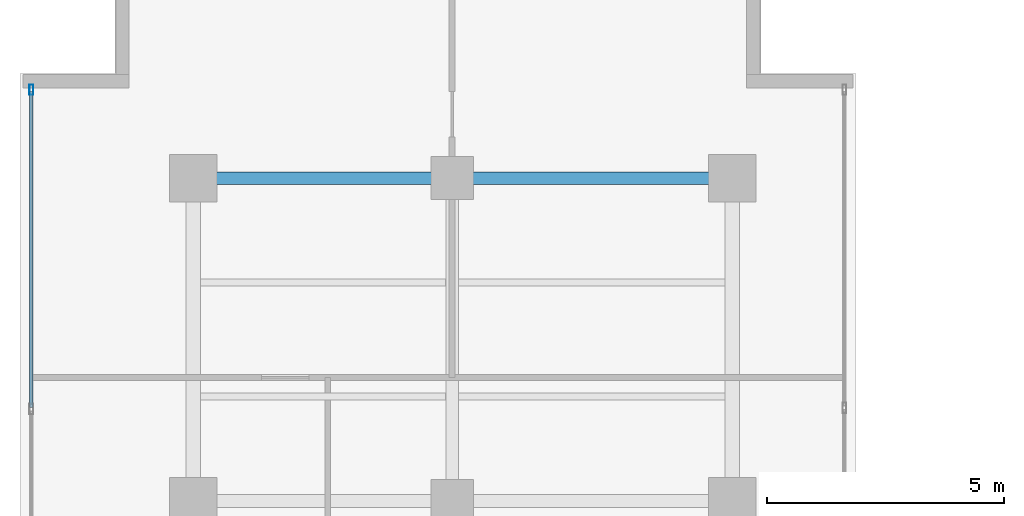
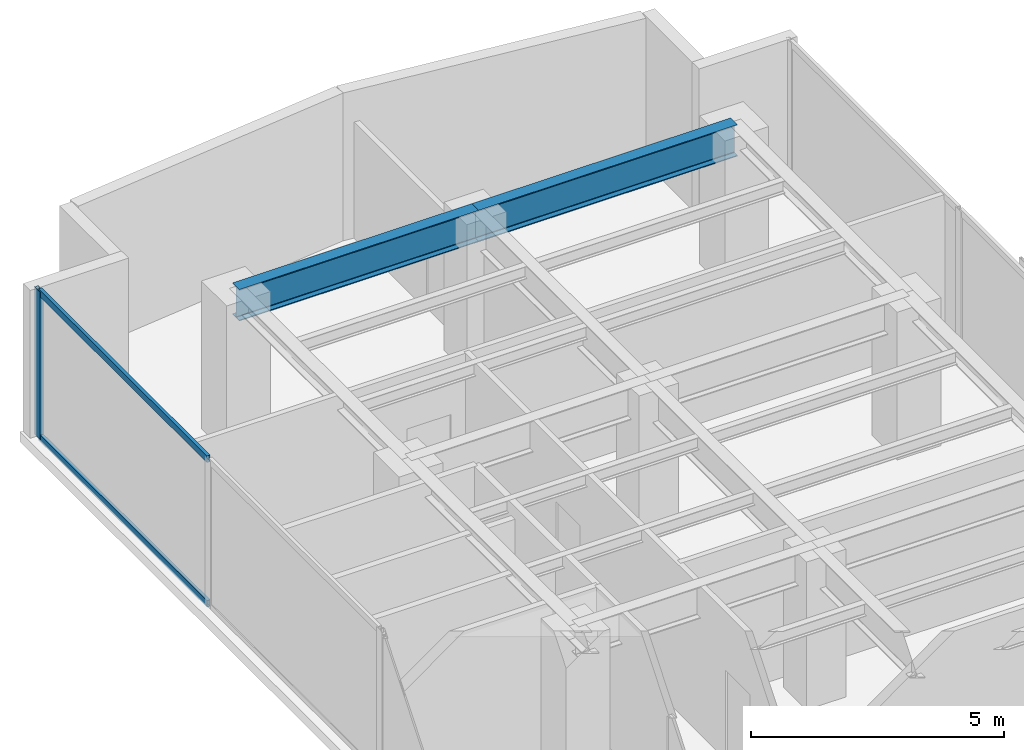
# One storey, part 14 of 23: 3 members, 2 beams, 1 element without a shape of its own.
"""IFC4 building model written with IfcOpenShell, lengths in metres."""

from ifc_helpers import new_model, si_unit, direction, frame, origin, origin_with_axes, origin_2d, place, context, subcontext, project, spatial, hollow_rectangle, i_section, extrude, source, transform, mapped, material, layer, layer_set, material_profile, profile_set, type_object, element, aggregate, save


model = new_model("IFC4")

# Units and contexts
model_context = context("Model", 3, precision=1e-05, world=origin(), true_north=direction((0.0, 1.0)))
body_context = subcontext(model_context, "Body", "Model", "MODEL_VIEW")
ifc_project = project(units=[si_unit("LENGTHUNIT", "METRE"), si_unit("AREAUNIT", "SQUARE_METRE"), si_unit("VOLUMEUNIT", "CUBIC_METRE"), si_unit("PLANEANGLEUNIT", "RADIAN"), si_unit("MASSUNIT", "GRAM", prefix="KILO")], contexts=[model_context])

# Site, building, storey
site_placement = place(None, origin())
site = spatial("IfcSite", under=ifc_project, at=site_placement, CompositionType="ELEMENT")
building_placement = place(site_placement, origin())
building = spatial("IfcBuilding", under=site, at=building_placement, Name="Kolvaren Waterfront Exchange", CompositionType="ELEMENT")
storey_placement = place(building_placement, frame((0.0, 0.0, 250.10009765625)))
storey = spatial("IfcBuildingStorey", under=building, at=storey_placement, Name="L64", CompositionType="ELEMENT", Elevation=250.10009765625)

# Beams
ifc_material_1 = material(Name="Steel S355", Category="steel")
ifc_material_profile_1 = material_profile(ifc_material_1, i_section(OverallWidth=0.26708984375, OverallDepth=0.761962890625, WebThickness=0.014404296875, FlangeThickness=0.021484375, FilletRadius=0.01708984375, at=origin_2d()), Name="IPE750x173")
ifc_profile_set_1 = profile_set([ifc_material_profile_1], Name="Steel S355")
beam_type = type_object("IfcBeamType", Name="STR-BM-IPE750", PredefinedType="BEAM", material=ifc_profile_set_1)
beam_1_placement = place(storey_placement, frame((7.449951171875, 44.60009765625, 3.178955078125), z_axis=(1.0, 0.0, 0.0), x_axis=(0.0, 1.0, 0.0)))
element("IfcBeam", 1, at=beam_1_placement, inside=storey, type_object=beam_type, Name="L64 north-arm girder 4A", PredefinedType="BEAM", context=body_context, shape_type="SweptSolid", body=[
    extrude(i_section(OverallWidth=0.26708984375, OverallDepth=0.761962890625, WebThickness=0.014404296875, FlangeThickness=0.021484375, FilletRadius=0.01708984375, at=origin_2d()), origin(), (0.0, 0.0, 1.0), 5.449951171875),
])
beam_2_placement = place(storey_placement, frame((12.89990234375, 44.60009765625, 3.178955078125), z_axis=(1.0, 0.0, 0.0), x_axis=(0.0, 1.0, 0.0)))
element("IfcBeam", 2, at=beam_2_placement, inside=storey, type_object=beam_type, Name="L64 north-arm girder 4B", PredefinedType="BEAM", context=body_context, shape_type="SweptSolid", body=[
    extrude(i_section(OverallWidth=0.26708984375, OverallDepth=0.761962890625, WebThickness=0.014404296875, FlangeThickness=0.021484375, FilletRadius=0.01708984375, at=origin_2d()), origin(), (0.0, 0.0, 1.0), 5.900146484375),
])

# Curtain wall, members
ifc_material_2 = material(Name="Anodised aluminium 6063-T6", Category="aluminium")
ifc_layer = layer(ifc_material_2, 0.219970703125, Name="Anodised aluminium 6063-T6")
ifc_layer_set = layer_set([ifc_layer], Name="Anodised aluminium 6063-T6")
curtain_wall_type = type_object("IfcCurtainWallType", Name="ARC-CW-SYS2", PredefinedType="USERDEFINED", material=ifc_layer_set)
curtain_wall_placement = place(storey_placement, origin())
curtain_wall = element("IfcCurtainWall", 3, at=curtain_wall_placement, inside=storey, type_object=curtain_wall_type, Name="L64 stick curtain wall CW2 (CW-L64-W)", ObjectType="STICK CURTAIN WALL", PredefinedType="USERDEFINED")
ifc_material_profile_2 = material_profile(ifc_material_2, hollow_rectangle(XDim=0.074951171875, YDim=0.159912109375, WallThickness=0.00439453125, at=origin_2d()), Name="ALU-TRN-160x75x4.5")
ifc_profile_set_2 = profile_set([ifc_material_profile_2], Name="Anodised aluminium 6063-T6")
member_type_1 = type_object("IfcMemberType", Name="ARC-CWT-160", PredefinedType="USERDEFINED", material=ifc_profile_set_2)
shared_shape_1 = source(origin_with_axes(), body_context, "Body", "SweptSolid", [
    extrude(hollow_rectangle(XDim=0.074951171875, YDim=0.159912109375, WallThickness=0.00439453125, at=origin_2d()), origin(), (0.0, 0.0, 1.0), 6.646484375),
])
member_1_placement = place(storey_placement, frame((4.0400390625, 39.7734375, 0.037353515625), z_axis=(0.0, 1.0, 0.0), x_axis=(-1.0, 0.0, 0.0)))
member_1 = element("IfcMember", 4, at=member_1_placement, type_object=member_type_1, Name="CW2 transom 6.1", ObjectType="TRANSOM", PredefinedType="USERDEFINED", context=body_context, shape_type="MappedRepresentation", body=[
    mapped(shared_shape_1, transform((0.0, 0.0, 0.0), x_axis=(1.0, 0.0, 0.0), y_axis=(0.0, 1.0, 0.0), z_axis=(0.0, 0.0, 1.0), scale=1.0)),
])
member_2_placement = place(storey_placement, frame((4.0400390625, 39.7734375, 3.5224609375), z_axis=(0.0, 1.0, 0.0), x_axis=(-1.0, 0.0, 0.0)))
member_2 = element("IfcMember", 5, at=member_2_placement, type_object=member_type_1, Name="CW2 transom 6.2", ObjectType="TRANSOM", PredefinedType="USERDEFINED", context=body_context, shape_type="MappedRepresentation", body=[
    mapped(shared_shape_1, transform((0.0, 0.0, 0.0), x_axis=(1.0, 0.0, 0.0), y_axis=(0.0, 1.0, 0.0), z_axis=(0.0, 0.0, 1.0), scale=1.0)),
])
ifc_material_profile_3 = material_profile(ifc_material_2, hollow_rectangle(XDim=0.080078125, YDim=0.219970703125, WallThickness=0.0048828125, at=origin_2d()), Name="ALU-MUL-220x80x5")
ifc_profile_set_3 = profile_set([ifc_material_profile_3], Name="Anodised aluminium 6063-T6")
member_type_2 = type_object("IfcMemberType", Name="ARC-CWM-220", PredefinedType="MULLION", material=ifc_profile_set_3)
shared_shape_2 = source(origin_with_axes(), body_context, "Body", "SweptSolid", [
    extrude(hollow_rectangle(XDim=0.080078125, YDim=0.219970703125, WallThickness=0.0048828125, at=origin_2d()), origin(), (0.0, 0.0, 1.0), 3.559814453125),
])
member_3_placement = place(storey_placement, frame((4.0400390625, 46.4599609375, 0.0), z_axis=(0.0, 0.0, 1.0), x_axis=(-1.0, 0.0, 0.0)))
member_3 = element("IfcMember", 6, at=member_3_placement, type_object=member_type_2, Name="CW2 mullion 7", PredefinedType="MULLION", context=body_context, shape_type="MappedRepresentation", body=[
    mapped(shared_shape_2, transform((0.0, 0.0, 0.0), x_axis=(1.0, 0.0, 0.0), y_axis=(0.0, 1.0, 0.0), z_axis=(0.0, 0.0, 1.0), scale=1.0)),
])
aggregate(curtain_wall, [member_3, member_1, member_2])

save(model, "model.ifc")
